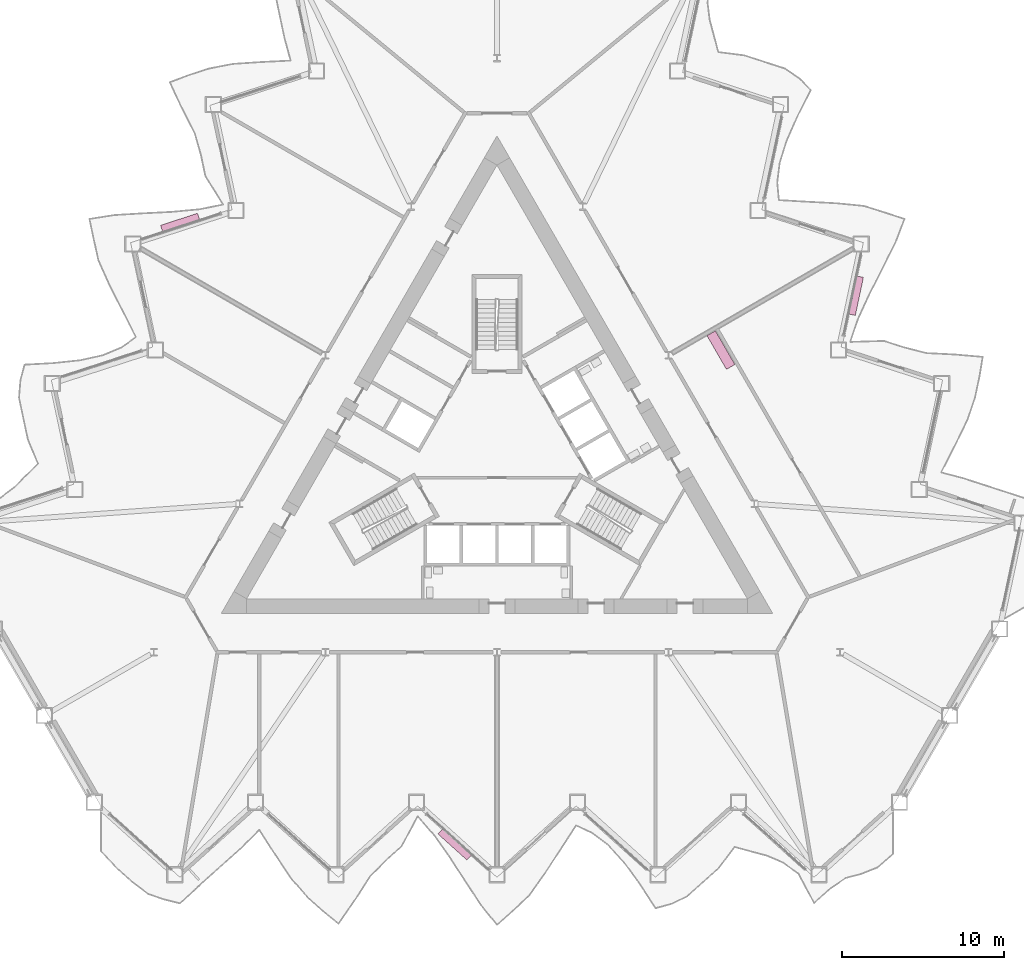
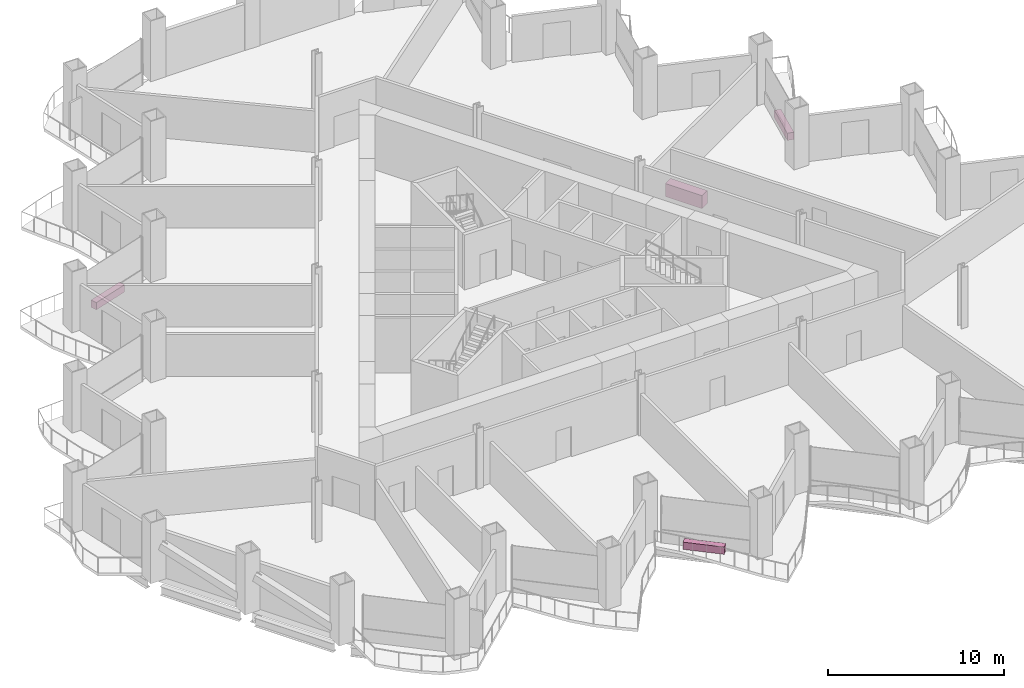
# One storey, part 20 of 20: 4 furniture elements.
"""IFC4 building model written with IfcOpenShell, lengths in metres."""

from ifc_helpers import new_model, si_unit, direction, frame, origin, origin_2d, place, context, subcontext, project, spatial, rectangle, extrude, material, type_object, element, save


model = new_model("IFC4")

# Units and contexts
model_context = context("Model", 3, precision=1e-05, world=origin(), true_north=direction((0.0, 1.0)))
body_context = subcontext(model_context, "Body", "Model", "MODEL_VIEW")
ifc_project = project(units=[si_unit("LENGTHUNIT", "METRE"), si_unit("AREAUNIT", "SQUARE_METRE"), si_unit("VOLUMEUNIT", "CUBIC_METRE"), si_unit("PLANEANGLEUNIT", "RADIAN"), si_unit("MASSUNIT", "GRAM", prefix="KILO")], contexts=[model_context])

# Site, building, storey
site_placement = place(None, origin())
site = spatial("IfcSite", under=ifc_project, at=site_placement, CompositionType="ELEMENT")
building_placement = place(site_placement, origin())
building = spatial("IfcBuilding", under=site, at=building_placement, Name="Cormorant Prow Tower", CompositionType="ELEMENT")
storey_placement = place(building_placement, frame((0.0, 0.0, 55.199951171875)))
storey = spatial("IfcBuildingStorey", under=building, at=storey_placement, Name="L11", CompositionType="ELEMENT", Elevation=55.199951171875)

# Furniture
ifc_material_1 = material(Name="Terracotta", Category="masonry")
furniture_type_1 = type_object("IfcFurnitureType", Name="Balcony planter 2400x400x500", AssemblyPlace="NOTDEFINED", PredefinedType="USERDEFINED", material=ifc_material_1)
for number, where, z_axis, x_axis, name in (
    (1, (-2.611083984375, -24.072265625, 0.0), (0.0, 0.0, 1.0), (0.743144808544, -0.669130625166, 0.0), "Balcony planter S04"),
    (2, (22.15283203125, 9.774658203125, 0.0), (0.0, 0.0, 1.0), (0.207911660293, 0.978147607222, 0.0), "Balcony planter ENE04"),
    (3, (-19.54150390625, 14.29736328125, 0.0), (0.0, 0.0, 1.0), (-0.951056488633, -0.309017079512, 0.0), "Balcony planter WNW04"),
):
    element("IfcFurniture", number, at=place(storey_placement, frame(where, z_axis=z_axis, x_axis=x_axis)), inside=storey, type_object=furniture_type_1, Name=name, ObjectType="PLANTER", PredefinedType="USERDEFINED", context=body_context, shape_type="SweptSolid", body=[
        extrude(rectangle(XDim=2.39990234375, YDim=0.39990234375, at=origin_2d()), origin(), (0.0, 0.0, 1.0), 0.5),
    ])
ifc_material_2 = material(Name="Timber joinery", Category="wood")
furniture_type_2 = type_object("IfcFurnitureType", Name="Kitchen counter 2400x600", AssemblyPlace="NOTDEFINED", PredefinedType="NOTDEFINED", material=ifc_material_2)
furniture_placement = place(storey_placement, frame((13.81005859375, 6.420166015625, 0.0), z_axis=(0.0, 0.0, 1.0), x_axis=(0.5, -0.866025403784, 0.0)))
element("IfcFurniture", 4, at=furniture_placement, inside=storey, type_object=furniture_type_2, Name="Kitchen counter", PredefinedType="NOTDEFINED", context=body_context, shape_type="SweptSolid", body=[
    extrude(rectangle(XDim=2.39990234375, YDim=0.60009765625, at=origin_2d()), origin(), (0.0, 0.0, 1.0), 0.89990234375),
])

save(model, "model.ifc")
